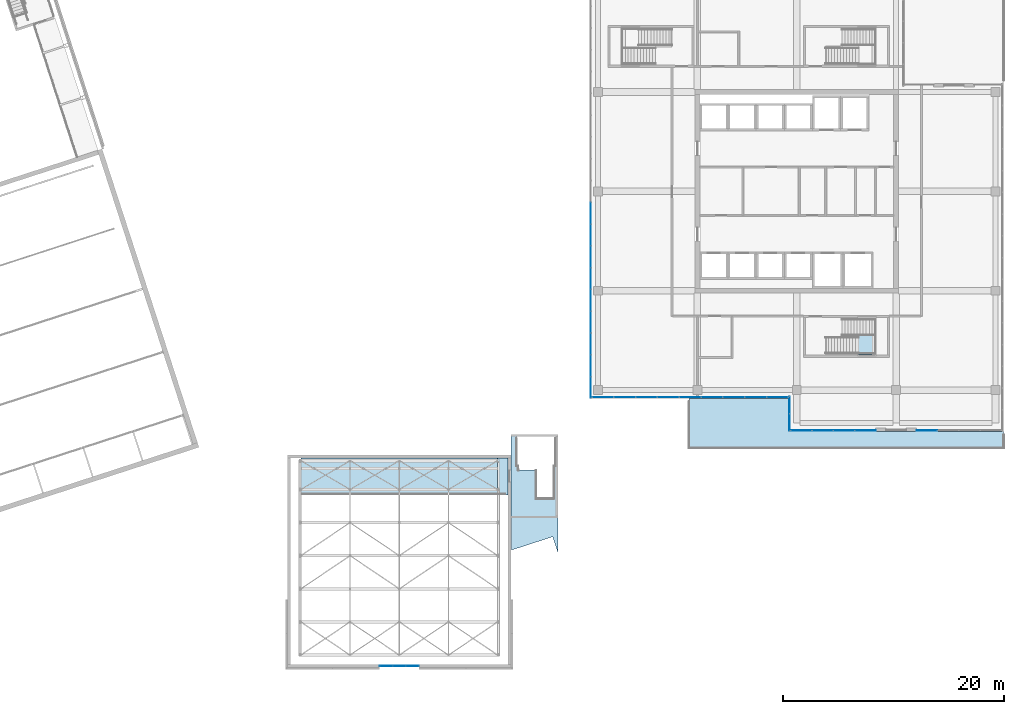
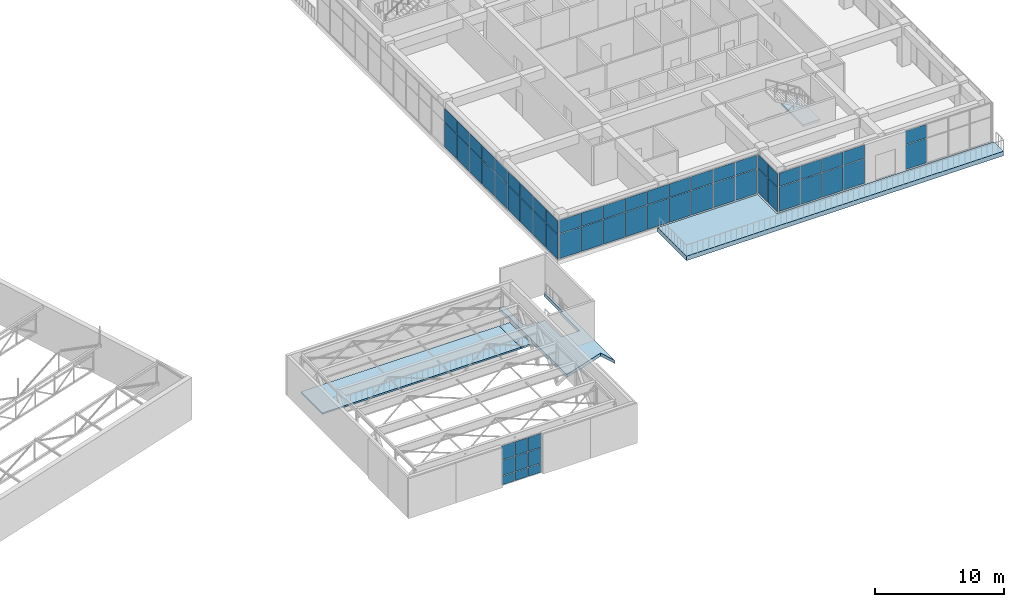
# One storey, part 63 of 81: 59 plates, 5 slabs, 7 elements without a shape of their own.
"""IFC4 building model written with IfcOpenShell, lengths in metres."""

from ifc_helpers import new_model, si_unit, direction, frame, origin, origin_2d, place, context, subcontext, project, spatial, polyline, rectangle, outline, extrude, material, layer, layer_set, type_object, element, aggregate, save


model = new_model("IFC4")

# Units and contexts
model_context = context("Model", 3, precision=1e-05, world=origin(), true_north=direction((0.0, 1.0)))
body_context = subcontext(model_context, "Body", "Model", "MODEL_VIEW")
ifc_project = project(units=[si_unit("LENGTHUNIT", "METRE"), si_unit("AREAUNIT", "SQUARE_METRE"), si_unit("VOLUMEUNIT", "CUBIC_METRE"), si_unit("PLANEANGLEUNIT", "RADIAN"), si_unit("MASSUNIT", "GRAM", prefix="KILO")], contexts=[model_context])

# Site, building, storey
site_placement = place(None, origin())
site = spatial("IfcSite", under=ifc_project, at=site_placement, CompositionType="ELEMENT")
building_placement = place(site_placement, origin())
building = spatial("IfcBuilding", under=site, at=building_placement, Name="Tuart Plaza Theatre", CompositionType="ELEMENT")
storey_placement = place(building_placement, frame((0.0, 0.0, 17.5)))
storey = spatial("IfcBuildingStorey", under=building, at=storey_placement, Name="L04", CompositionType="ELEMENT", Elevation=17.5)

# Curtain wall, plates
ifc_material_1 = material(Name="Aluminium and glass", Category="aluminium")
ifc_layer_1 = layer(ifc_material_1, 0.10009765625)
ifc_layer_set_1 = layer_set([ifc_layer_1], Name="CURTAIN WALL 1200 module")
curtain_wall_type_1 = type_object("IfcCurtainWallType", Name="CURTAIN WALL 1200 module", PredefinedType="NOTDEFINED", material=ifc_layer_set_1)
curtain_wall_1_placement = place(storey_placement, origin())
curtain_wall_1 = element("IfcCurtainWall", 1, at=curtain_wall_1_placement, inside=storey, type_object=curtain_wall_type_1, Name="CW47", PredefinedType="NOTDEFINED")
ifc_material_2 = material(Name="Glass", Category="glass")
ifc_layer_2 = layer(ifc_material_2, 0.028076171875)
ifc_layer_set_2 = layer_set([ifc_layer_2], Name="CURTAIN PANEL double glazed 28")
plate_type_1 = type_object("IfcPlateType", Name="CURTAIN PANEL double glazed 28", PredefinedType="CURTAIN_PANEL", material=ifc_layer_set_2)
plate_1_placement = place(storey_placement, frame((94.8125, 31.0, 0.0498046875), z_axis=(0.0, 0.0, 1.0), x_axis=(1.0, 0.0, 0.0)))
plate_1 = element("IfcPlate", 2, at=plate_1_placement, type_object=plate_type_1, Name="CW47 panel 1.1", PredefinedType="CURTAIN_PANEL", context=body_context, shape_type="SweptSolid", body=[
    extrude(rectangle(XDim=1.125, YDim=0.028076171875, at=origin_2d()), origin(), (0.0, 0.0, 1.0), 0.824951171875),
])
plate_2_placement = place(storey_placement, frame((94.8125, 31.0, 0.9248046875), z_axis=(0.0, 0.0, 1.0), x_axis=(1.0, 0.0, 0.0)))
plate_2 = element("IfcPlate", 3, at=plate_2_placement, type_object=plate_type_1, Name="CW47 panel 1.2", PredefinedType="CURTAIN_PANEL", context=body_context, shape_type="SweptSolid", body=[
    extrude(rectangle(XDim=1.125, YDim=0.028076171875, at=origin_2d()), origin(), (0.0, 0.0, 1.0), 1.449951171875),
])
plate_3_placement = place(storey_placement, frame((94.8125, 31.0, 2.4248046875), z_axis=(0.0, 0.0, 1.0), x_axis=(1.0, 0.0, 0.0)))
plate_3 = element("IfcPlate", 4, at=plate_3_placement, type_object=plate_type_1, Name="CW47 panel 1.3", PredefinedType="CURTAIN_PANEL", context=body_context, shape_type="SweptSolid", body=[
    extrude(rectangle(XDim=1.125, YDim=0.028076171875, at=origin_2d()), origin(), (0.0, 0.0, 1.0), 1.324951171875),
])
plate_4_placement = place(storey_placement, frame((96.0, 31.0, 0.0498046875), z_axis=(0.0, 0.0, 1.0), x_axis=(1.0, 0.0, 0.0)))
plate_4 = element("IfcPlate", 5, at=plate_4_placement, type_object=plate_type_1, Name="CW47 panel 2.1", PredefinedType="CURTAIN_PANEL", context=body_context, shape_type="SweptSolid", body=[
    extrude(rectangle(XDim=1.14990234375, YDim=0.028076171875, at=origin_2d()), origin(), (0.0, 0.0, 1.0), 0.824951171875),
])
plate_5_placement = place(storey_placement, frame((96.0, 31.0, 0.9248046875), z_axis=(0.0, 0.0, 1.0), x_axis=(1.0, 0.0, 0.0)))
plate_5 = element("IfcPlate", 6, at=plate_5_placement, type_object=plate_type_1, Name="CW47 panel 2.2", PredefinedType="CURTAIN_PANEL", context=body_context, shape_type="SweptSolid", body=[
    extrude(rectangle(XDim=1.14990234375, YDim=0.028076171875, at=origin_2d()), origin(), (0.0, 0.0, 1.0), 1.449951171875),
])
plate_6_placement = place(storey_placement, frame((96.0, 31.0, 2.4248046875), z_axis=(0.0, 0.0, 1.0), x_axis=(1.0, 0.0, 0.0)))
plate_6 = element("IfcPlate", 7, at=plate_6_placement, type_object=plate_type_1, Name="CW47 panel 2.3", PredefinedType="CURTAIN_PANEL", context=body_context, shape_type="SweptSolid", body=[
    extrude(rectangle(XDim=1.14990234375, YDim=0.028076171875, at=origin_2d()), origin(), (0.0, 0.0, 1.0), 1.324951171875),
])
plate_7_placement = place(storey_placement, frame((97.1875, 31.0, 0.0498046875), z_axis=(0.0, 0.0, 1.0), x_axis=(1.0, 0.0, 0.0)))
plate_7 = element("IfcPlate", 8, at=plate_7_placement, type_object=plate_type_1, Name="CW47 panel 3.1", PredefinedType="CURTAIN_PANEL", context=body_context, shape_type="SweptSolid", body=[
    extrude(rectangle(XDim=1.125, YDim=0.028076171875, at=origin_2d()), origin(), (0.0, 0.0, 1.0), 0.824951171875),
])
plate_8_placement = place(storey_placement, frame((97.1875, 31.0, 0.9248046875), z_axis=(0.0, 0.0, 1.0), x_axis=(1.0, 0.0, 0.0)))
plate_8 = element("IfcPlate", 9, at=plate_8_placement, type_object=plate_type_1, Name="CW47 panel 3.2", PredefinedType="CURTAIN_PANEL", context=body_context, shape_type="SweptSolid", body=[
    extrude(rectangle(XDim=1.125, YDim=0.028076171875, at=origin_2d()), origin(), (0.0, 0.0, 1.0), 1.449951171875),
])
plate_9_placement = place(storey_placement, frame((97.1875, 31.0, 2.4248046875), z_axis=(0.0, 0.0, 1.0), x_axis=(1.0, 0.0, 0.0)))
plate_9 = element("IfcPlate", 10, at=plate_9_placement, type_object=plate_type_1, Name="CW47 panel 3.3", PredefinedType="CURTAIN_PANEL", context=body_context, shape_type="SweptSolid", body=[
    extrude(rectangle(XDim=1.125, YDim=0.028076171875, at=origin_2d()), origin(), (0.0, 0.0, 1.0), 1.324951171875),
])
aggregate(curtain_wall_1, [plate_1, plate_2, plate_3, plate_4, plate_5, plate_6, plate_7, plate_8, plate_9])

ifc_material_3 = material(Name="Aluminium and glass", Category="aluminium")
ifc_layer_3 = layer(ifc_material_3, 0.10009765625)
ifc_layer_set_3 = layer_set([ifc_layer_3], Name="CURTAIN WALL 2000 module")
curtain_wall_type_2 = type_object("IfcCurtainWallType", Name="CURTAIN WALL 2000 module", PredefinedType="NOTDEFINED", material=ifc_layer_set_3)
curtain_wall_2_placement = place(storey_placement, origin())
curtain_wall_2 = element("IfcCurtainWall", 11, at=curtain_wall_2_placement, inside=storey, type_object=curtain_wall_type_2, Name="CW75", PredefinedType="NOTDEFINED")
plate_10_placement = place(storey_placement, frame((131.35009765625, 54.637451171875, 0.0498046875), z_axis=(0.0, 0.0, 1.0), x_axis=(0.0, -1.0, 0.0)))
plate_10 = element("IfcPlate", 12, at=plate_10_placement, type_object=plate_type_1, Name="CW75 panel 1.1", PredefinedType="CURTAIN_PANEL", context=body_context, shape_type="SweptSolid", body=[
    extrude(rectangle(XDim=1.52490234375, YDim=0.028076171875, at=origin_2d()), origin(), (0.0, 0.0, 1.0), 2.324951171875),
])
plate_11_placement = place(storey_placement, frame((131.35009765625, 54.637451171875, 2.425048828125), z_axis=(0.0, 0.0, 1.0), x_axis=(0.0, -1.0, 0.0)))
plate_11 = element("IfcPlate", 13, at=plate_11_placement, type_object=plate_type_1, Name="CW75 panel 1.2", PredefinedType="CURTAIN_PANEL", context=body_context, shape_type="SweptSolid", body=[
    extrude(rectangle(XDim=1.52490234375, YDim=0.028076171875, at=origin_2d()), origin(), (0.0, 0.0, 1.0), 1.27490234375),
])
plate_12_placement = place(storey_placement, frame((131.35009765625, 53.0625, 0.0498046875), z_axis=(0.0, 0.0, 1.0), x_axis=(0.0, -1.0, 0.0)))
plate_12 = element("IfcPlate", 14, at=plate_12_placement, type_object=plate_type_1, Name="CW75 panel 2.1", PredefinedType="CURTAIN_PANEL", context=body_context, shape_type="SweptSolid", body=[
    extrude(rectangle(XDim=1.52490234375, YDim=0.028076171875, at=origin_2d()), origin(), (0.0, 0.0, 1.0), 2.324951171875),
])
plate_13_placement = place(storey_placement, frame((131.35009765625, 53.0625, 2.425048828125), z_axis=(0.0, 0.0, 1.0), x_axis=(0.0, -1.0, 0.0)))
plate_13 = element("IfcPlate", 15, at=plate_13_placement, type_object=plate_type_1, Name="CW75 panel 2.2", PredefinedType="CURTAIN_PANEL", context=body_context, shape_type="SweptSolid", body=[
    extrude(rectangle(XDim=1.52490234375, YDim=0.028076171875, at=origin_2d()), origin(), (0.0, 0.0, 1.0), 1.27490234375),
])
aggregate(curtain_wall_2, [plate_10, plate_11, plate_12, plate_13])

curtain_wall_3_placement = place(storey_placement, origin())
curtain_wall_3 = element("IfcCurtainWall", 16, at=curtain_wall_3_placement, inside=storey, type_object=curtain_wall_type_2, Name="CW76", PredefinedType="NOTDEFINED")
plate_14_placement = place(storey_placement, frame((134.356201171875, 52.35009765625, 0.0498046875), z_axis=(0.0, 0.0, 1.0), x_axis=(1.0, 0.0, 0.0)))
plate_14 = element("IfcPlate", 17, at=plate_14_placement, type_object=plate_type_1, Name="CW76 panel 2.1", PredefinedType="CURTAIN_PANEL", context=body_context, shape_type="SweptSolid", body=[
    extrude(rectangle(XDim=1.887451171875, YDim=0.028076171875, at=origin_2d()), origin(), (0.0, 0.0, 1.0), 2.324951171875),
])
plate_15_placement = place(storey_placement, frame((134.356201171875, 52.35009765625, 2.425048828125), z_axis=(0.0, 0.0, 1.0), x_axis=(1.0, 0.0, 0.0)))
plate_15 = element("IfcPlate", 18, at=plate_15_placement, type_object=plate_type_1, Name="CW76 panel 2.2", PredefinedType="CURTAIN_PANEL", context=body_context, shape_type="SweptSolid", body=[
    extrude(rectangle(XDim=1.887451171875, YDim=0.028076171875, at=origin_2d()), origin(), (0.0, 0.0, 1.0), 1.27490234375),
])
plate_16_placement = place(storey_placement, frame((136.293701171875, 52.35009765625, 0.0498046875), z_axis=(0.0, 0.0, 1.0), x_axis=(1.0, 0.0, 0.0)))
plate_16 = element("IfcPlate", 19, at=plate_16_placement, type_object=plate_type_1, Name="CW76 panel 3.1", PredefinedType="CURTAIN_PANEL", context=body_context, shape_type="SweptSolid", body=[
    extrude(rectangle(XDim=1.887451171875, YDim=0.028076171875, at=origin_2d()), origin(), (0.0, 0.0, 1.0), 2.324951171875),
])
plate_17_placement = place(storey_placement, frame((136.293701171875, 52.35009765625, 2.425048828125), z_axis=(0.0, 0.0, 1.0), x_axis=(1.0, 0.0, 0.0)))
plate_17 = element("IfcPlate", 20, at=plate_17_placement, type_object=plate_type_1, Name="CW76 panel 3.2", PredefinedType="CURTAIN_PANEL", context=body_context, shape_type="SweptSolid", body=[
    extrude(rectangle(XDim=1.887451171875, YDim=0.028076171875, at=origin_2d()), origin(), (0.0, 0.0, 1.0), 1.27490234375),
])
plate_18_placement = place(storey_placement, frame((138.21875, 52.35009765625, 0.0498046875), z_axis=(0.0, 0.0, 1.0), x_axis=(1.0, 0.0, 0.0)))
plate_18 = element("IfcPlate", 21, at=plate_18_placement, type_object=plate_type_1, Name="CW76 panel 4.1", PredefinedType="CURTAIN_PANEL", context=body_context, shape_type="SweptSolid", body=[
    extrude(rectangle(XDim=1.862548828125, YDim=0.028076171875, at=origin_2d()), origin(), (0.0, 0.0, 1.0), 2.324951171875),
])
plate_19_placement = place(storey_placement, frame((138.21875, 52.35009765625, 2.425048828125), z_axis=(0.0, 0.0, 1.0), x_axis=(1.0, 0.0, 0.0)))
plate_19 = element("IfcPlate", 22, at=plate_19_placement, type_object=plate_type_1, Name="CW76 panel 4.2", PredefinedType="CURTAIN_PANEL", context=body_context, shape_type="SweptSolid", body=[
    extrude(rectangle(XDim=1.862548828125, YDim=0.028076171875, at=origin_2d()), origin(), (0.0, 0.0, 1.0), 1.27490234375),
])

curtain_wall_4_placement = place(storey_placement, origin())
curtain_wall_4 = element("IfcCurtainWall", 23, at=curtain_wall_4_placement, inside=storey, type_object=curtain_wall_type_2, Name="CW77", PredefinedType="NOTDEFINED")
plate_20_placement = place(storey_placement, frame((143.78125, 52.35009765625, 0.0498046875), z_axis=(0.0, 0.0, 1.0), x_axis=(1.0, 0.0, 0.0)))
plate_20 = element("IfcPlate", 24, at=plate_20_placement, type_object=plate_type_1, Name="CW77 panel 1.1", PredefinedType="CURTAIN_PANEL", context=body_context, shape_type="SweptSolid", body=[
    extrude(rectangle(XDim=1.862548828125, YDim=0.028076171875, at=origin_2d()), origin(), (0.0, 0.0, 1.0), 2.324951171875),
])
plate_21_placement = place(storey_placement, frame((143.78125, 52.35009765625, 2.425048828125), z_axis=(0.0, 0.0, 1.0), x_axis=(1.0, 0.0, 0.0)))
plate_21 = element("IfcPlate", 25, at=plate_21_placement, type_object=plate_type_1, Name="CW77 panel 1.2", PredefinedType="CURTAIN_PANEL", context=body_context, shape_type="SweptSolid", body=[
    extrude(rectangle(XDim=1.862548828125, YDim=0.028076171875, at=origin_2d()), origin(), (0.0, 0.0, 1.0), 1.27490234375),
])
aggregate(curtain_wall_4, [plate_20, plate_21])

curtain_wall_5_placement = place(storey_placement, origin())
curtain_wall_5 = element("IfcCurtainWall", 26, at=curtain_wall_5_placement, inside=storey, type_object=curtain_wall_type_2, Name="CW86", PredefinedType="NOTDEFINED")
plate_22_placement = place(storey_placement, frame((113.35009765625, 72.0263671875, 0.0498046875), z_axis=(0.0, 0.0, 1.0), x_axis=(0.0, -1.0, 0.0)))
plate_22 = element("IfcPlate", 27, at=plate_22_placement, type_object=plate_type_1, Name="CW86 panel 11.1", PredefinedType="CURTAIN_PANEL", context=body_context, shape_type="SweptSolid", body=[
    extrude(rectangle(XDim=1.923583984375, YDim=0.028076171875, at=origin_2d()), origin(), (0.0, 0.0, 1.0), 2.324951171875),
])
plate_23_placement = place(storey_placement, frame((113.35009765625, 72.0263671875, 2.425048828125), z_axis=(0.0, 0.0, 1.0), x_axis=(0.0, -1.0, 0.0)))
plate_23 = element("IfcPlate", 28, at=plate_23_placement, type_object=plate_type_1, Name="CW86 panel 11.2", PredefinedType="CURTAIN_PANEL", context=body_context, shape_type="SweptSolid", body=[
    extrude(rectangle(XDim=1.923583984375, YDim=0.028076171875, at=origin_2d()), origin(), (0.0, 0.0, 1.0), 1.27490234375),
])
plate_24_placement = place(storey_placement, frame((113.35009765625, 70.052734375, 0.0498046875), z_axis=(0.0, 0.0, 1.0), x_axis=(0.0, -1.0, 0.0)))
plate_24 = element("IfcPlate", 29, at=plate_24_placement, type_object=plate_type_1, Name="CW86 panel 12.1", PredefinedType="CURTAIN_PANEL", context=body_context, shape_type="SweptSolid", body=[
    extrude(rectangle(XDim=1.923583984375, YDim=0.028076171875, at=origin_2d()), origin(), (0.0, 0.0, 1.0), 2.324951171875),
])
plate_25_placement = place(storey_placement, frame((113.35009765625, 70.052734375, 2.425048828125), z_axis=(0.0, 0.0, 1.0), x_axis=(0.0, -1.0, 0.0)))
plate_25 = element("IfcPlate", 30, at=plate_25_placement, type_object=plate_type_1, Name="CW86 panel 12.2", PredefinedType="CURTAIN_PANEL", context=body_context, shape_type="SweptSolid", body=[
    extrude(rectangle(XDim=1.923583984375, YDim=0.028076171875, at=origin_2d()), origin(), (0.0, 0.0, 1.0), 1.27490234375),
])
plate_26_placement = place(storey_placement, frame((113.35009765625, 68.078857421875, 0.0498046875), z_axis=(0.0, 0.0, 1.0), x_axis=(0.0, -1.0, 0.0)))
plate_26 = element("IfcPlate", 31, at=plate_26_placement, type_object=plate_type_1, Name="CW86 panel 13.1", PredefinedType="CURTAIN_PANEL", context=body_context, shape_type="SweptSolid", body=[
    extrude(rectangle(XDim=1.923583984375, YDim=0.028076171875, at=origin_2d()), origin(), (0.0, 0.0, 1.0), 2.324951171875),
])
plate_27_placement = place(storey_placement, frame((113.35009765625, 68.078857421875, 2.425048828125), z_axis=(0.0, 0.0, 1.0), x_axis=(0.0, -1.0, 0.0)))
plate_27 = element("IfcPlate", 32, at=plate_27_placement, type_object=plate_type_1, Name="CW86 panel 13.2", PredefinedType="CURTAIN_PANEL", context=body_context, shape_type="SweptSolid", body=[
    extrude(rectangle(XDim=1.923583984375, YDim=0.028076171875, at=origin_2d()), origin(), (0.0, 0.0, 1.0), 1.27490234375),
])
plate_28_placement = place(storey_placement, frame((113.35009765625, 66.105224609375, 0.0498046875), z_axis=(0.0, 0.0, 1.0), x_axis=(0.0, -1.0, 0.0)))
plate_28 = element("IfcPlate", 33, at=plate_28_placement, type_object=plate_type_1, Name="CW86 panel 14.1", PredefinedType="CURTAIN_PANEL", context=body_context, shape_type="SweptSolid", body=[
    extrude(rectangle(XDim=1.923583984375, YDim=0.028076171875, at=origin_2d()), origin(), (0.0, 0.0, 1.0), 2.324951171875),
])
plate_29_placement = place(storey_placement, frame((113.35009765625, 66.105224609375, 2.425048828125), z_axis=(0.0, 0.0, 1.0), x_axis=(0.0, -1.0, 0.0)))
plate_29 = element("IfcPlate", 34, at=plate_29_placement, type_object=plate_type_1, Name="CW86 panel 14.2", PredefinedType="CURTAIN_PANEL", context=body_context, shape_type="SweptSolid", body=[
    extrude(rectangle(XDim=1.923583984375, YDim=0.028076171875, at=origin_2d()), origin(), (0.0, 0.0, 1.0), 1.27490234375),
])
plate_30_placement = place(storey_placement, frame((113.35009765625, 64.131591796875, 0.0498046875), z_axis=(0.0, 0.0, 1.0), x_axis=(0.0, -1.0, 0.0)))
plate_30 = element("IfcPlate", 35, at=plate_30_placement, type_object=plate_type_1, Name="CW86 panel 15.1", PredefinedType="CURTAIN_PANEL", context=body_context, shape_type="SweptSolid", body=[
    extrude(rectangle(XDim=1.923583984375, YDim=0.028076171875, at=origin_2d()), origin(), (0.0, 0.0, 1.0), 2.324951171875),
])
plate_31_placement = place(storey_placement, frame((113.35009765625, 64.131591796875, 2.425048828125), z_axis=(0.0, 0.0, 1.0), x_axis=(0.0, -1.0, 0.0)))
plate_31 = element("IfcPlate", 36, at=plate_31_placement, type_object=plate_type_1, Name="CW86 panel 15.2", PredefinedType="CURTAIN_PANEL", context=body_context, shape_type="SweptSolid", body=[
    extrude(rectangle(XDim=1.923583984375, YDim=0.028076171875, at=origin_2d()), origin(), (0.0, 0.0, 1.0), 1.27490234375),
])
plate_32_placement = place(storey_placement, frame((113.35009765625, 62.157958984375, 0.0498046875), z_axis=(0.0, 0.0, 1.0), x_axis=(0.0, -1.0, 0.0)))
plate_32 = element("IfcPlate", 37, at=plate_32_placement, type_object=plate_type_1, Name="CW86 panel 16.1", PredefinedType="CURTAIN_PANEL", context=body_context, shape_type="SweptSolid", body=[
    extrude(rectangle(XDim=1.923583984375, YDim=0.028076171875, at=origin_2d()), origin(), (0.0, 0.0, 1.0), 2.324951171875),
])
plate_33_placement = place(storey_placement, frame((113.35009765625, 62.157958984375, 2.425048828125), z_axis=(0.0, 0.0, 1.0), x_axis=(0.0, -1.0, 0.0)))
plate_33 = element("IfcPlate", 38, at=plate_33_placement, type_object=plate_type_1, Name="CW86 panel 16.2", PredefinedType="CURTAIN_PANEL", context=body_context, shape_type="SweptSolid", body=[
    extrude(rectangle(XDim=1.923583984375, YDim=0.028076171875, at=origin_2d()), origin(), (0.0, 0.0, 1.0), 1.27490234375),
])
plate_34_placement = place(storey_placement, frame((113.35009765625, 60.184326171875, 0.0498046875), z_axis=(0.0, 0.0, 1.0), x_axis=(0.0, -1.0, 0.0)))
plate_34 = element("IfcPlate", 39, at=plate_34_placement, type_object=plate_type_1, Name="CW86 panel 17.1", PredefinedType="CURTAIN_PANEL", context=body_context, shape_type="SweptSolid", body=[
    extrude(rectangle(XDim=1.923583984375, YDim=0.028076171875, at=origin_2d()), origin(), (0.0, 0.0, 1.0), 2.324951171875),
])
plate_35_placement = place(storey_placement, frame((113.35009765625, 60.184326171875, 2.425048828125), z_axis=(0.0, 0.0, 1.0), x_axis=(0.0, -1.0, 0.0)))
plate_35 = element("IfcPlate", 40, at=plate_35_placement, type_object=plate_type_1, Name="CW86 panel 17.2", PredefinedType="CURTAIN_PANEL", context=body_context, shape_type="SweptSolid", body=[
    extrude(rectangle(XDim=1.923583984375, YDim=0.028076171875, at=origin_2d()), origin(), (0.0, 0.0, 1.0), 1.27490234375),
])
plate_36_placement = place(storey_placement, frame((113.35009765625, 58.21044921875, 0.0498046875), z_axis=(0.0, 0.0, 1.0), x_axis=(0.0, -1.0, 0.0)))
plate_36 = element("IfcPlate", 41, at=plate_36_placement, type_object=plate_type_1, Name="CW86 panel 18.1", PredefinedType="CURTAIN_PANEL", context=body_context, shape_type="SweptSolid", body=[
    extrude(rectangle(XDim=1.923583984375, YDim=0.028076171875, at=origin_2d()), origin(), (0.0, 0.0, 1.0), 2.324951171875),
])
plate_37_placement = place(storey_placement, frame((113.35009765625, 58.21044921875, 2.425048828125), z_axis=(0.0, 0.0, 1.0), x_axis=(0.0, -1.0, 0.0)))
plate_37 = element("IfcPlate", 42, at=plate_37_placement, type_object=plate_type_1, Name="CW86 panel 18.2", PredefinedType="CURTAIN_PANEL", context=body_context, shape_type="SweptSolid", body=[
    extrude(rectangle(XDim=1.923583984375, YDim=0.028076171875, at=origin_2d()), origin(), (0.0, 0.0, 1.0), 1.27490234375),
])
plate_38_placement = place(storey_placement, frame((113.35009765625, 56.249267578125, 0.0498046875), z_axis=(0.0, 0.0, 1.0), x_axis=(0.0, -1.0, 0.0)))
plate_38 = element("IfcPlate", 43, at=plate_38_placement, type_object=plate_type_1, Name="CW86 panel 19.1", PredefinedType="CURTAIN_PANEL", context=body_context, shape_type="SweptSolid", body=[
    extrude(rectangle(XDim=1.898681640625, YDim=0.028076171875, at=origin_2d()), origin(), (0.0, 0.0, 1.0), 2.324951171875),
])
plate_39_placement = place(storey_placement, frame((113.35009765625, 56.249267578125, 2.425048828125), z_axis=(0.0, 0.0, 1.0), x_axis=(0.0, -1.0, 0.0)))
plate_39 = element("IfcPlate", 44, at=plate_39_placement, type_object=plate_type_1, Name="CW86 panel 19.2", PredefinedType="CURTAIN_PANEL", context=body_context, shape_type="SweptSolid", body=[
    extrude(rectangle(XDim=1.898681640625, YDim=0.028076171875, at=origin_2d()), origin(), (0.0, 0.0, 1.0), 1.27490234375),
])
aggregate(curtain_wall_5, [plate_22, plate_23, plate_24, plate_25, plate_26, plate_27, plate_28, plate_29, plate_30, plate_31, plate_32, plate_33, plate_34, plate_35, plate_36, plate_37, plate_38, plate_39])

curtain_wall_6_placement = place(storey_placement, origin())
curtain_wall_6 = element("IfcCurtainWall", 45, at=curtain_wall_6_placement, inside=storey, type_object=curtain_wall_type_2, Name="CW87", PredefinedType="NOTDEFINED")
plate_40_placement = place(storey_placement, frame((114.451416015625, 55.35009765625, 0.0498046875), z_axis=(0.0, 0.0, 1.0), x_axis=(1.0, 0.0, 0.0)))
plate_40 = element("IfcPlate", 46, at=plate_40_placement, type_object=plate_type_1, Name="CW87 panel 1.1", PredefinedType="CURTAIN_PANEL", context=body_context, shape_type="SweptSolid", body=[
    extrude(rectangle(XDim=1.90283203125, YDim=0.028076171875, at=origin_2d()), origin(), (0.0, 0.0, 1.0), 2.324951171875),
])
plate_41_placement = place(storey_placement, frame((114.451416015625, 55.35009765625, 2.425048828125), z_axis=(0.0, 0.0, 1.0), x_axis=(1.0, 0.0, 0.0)))
plate_41 = element("IfcPlate", 47, at=plate_41_placement, type_object=plate_type_1, Name="CW87 panel 1.2", PredefinedType="CURTAIN_PANEL", context=body_context, shape_type="SweptSolid", body=[
    extrude(rectangle(XDim=1.90283203125, YDim=0.028076171875, at=origin_2d()), origin(), (0.0, 0.0, 1.0), 1.27490234375),
])
plate_42_placement = place(storey_placement, frame((116.416748046875, 55.35009765625, 0.0498046875), z_axis=(0.0, 0.0, 1.0), x_axis=(1.0, 0.0, 0.0)))
plate_42 = element("IfcPlate", 48, at=plate_42_placement, type_object=plate_type_1, Name="CW87 panel 2.1", PredefinedType="CURTAIN_PANEL", context=body_context, shape_type="SweptSolid", body=[
    extrude(rectangle(XDim=1.927734375, YDim=0.028076171875, at=origin_2d()), origin(), (0.0, 0.0, 1.0), 2.324951171875),
])
plate_43_placement = place(storey_placement, frame((116.416748046875, 55.35009765625, 2.425048828125), z_axis=(0.0, 0.0, 1.0), x_axis=(1.0, 0.0, 0.0)))
plate_43 = element("IfcPlate", 49, at=plate_43_placement, type_object=plate_type_1, Name="CW87 panel 2.2", PredefinedType="CURTAIN_PANEL", context=body_context, shape_type="SweptSolid", body=[
    extrude(rectangle(XDim=1.927734375, YDim=0.028076171875, at=origin_2d()), origin(), (0.0, 0.0, 1.0), 1.27490234375),
])
plate_44_placement = place(storey_placement, frame((118.39453125, 55.35009765625, 0.0498046875), z_axis=(0.0, 0.0, 1.0), x_axis=(1.0, 0.0, 0.0)))
plate_44 = element("IfcPlate", 50, at=plate_44_placement, type_object=plate_type_1, Name="CW87 panel 3.1", PredefinedType="CURTAIN_PANEL", context=body_context, shape_type="SweptSolid", body=[
    extrude(rectangle(XDim=1.927734375, YDim=0.028076171875, at=origin_2d()), origin(), (0.0, 0.0, 1.0), 2.324951171875),
])
plate_45_placement = place(storey_placement, frame((118.39453125, 55.35009765625, 2.425048828125), z_axis=(0.0, 0.0, 1.0), x_axis=(1.0, 0.0, 0.0)))
plate_45 = element("IfcPlate", 51, at=plate_45_placement, type_object=plate_type_1, Name="CW87 panel 3.2", PredefinedType="CURTAIN_PANEL", context=body_context, shape_type="SweptSolid", body=[
    extrude(rectangle(XDim=1.927734375, YDim=0.028076171875, at=origin_2d()), origin(), (0.0, 0.0, 1.0), 1.27490234375),
])
plate_46_placement = place(storey_placement, frame((120.372314453125, 55.35009765625, 0.0498046875), z_axis=(0.0, 0.0, 1.0), x_axis=(1.0, 0.0, 0.0)))
plate_46 = element("IfcPlate", 52, at=plate_46_placement, type_object=plate_type_1, Name="CW87 panel 4.1", PredefinedType="CURTAIN_PANEL", context=body_context, shape_type="SweptSolid", body=[
    extrude(rectangle(XDim=1.927734375, YDim=0.028076171875, at=origin_2d()), origin(), (0.0, 0.0, 1.0), 2.324951171875),
])
plate_47_placement = place(storey_placement, frame((120.372314453125, 55.35009765625, 2.425048828125), z_axis=(0.0, 0.0, 1.0), x_axis=(1.0, 0.0, 0.0)))
plate_47 = element("IfcPlate", 53, at=plate_47_placement, type_object=plate_type_1, Name="CW87 panel 4.2", PredefinedType="CURTAIN_PANEL", context=body_context, shape_type="SweptSolid", body=[
    extrude(rectangle(XDim=1.927734375, YDim=0.028076171875, at=origin_2d()), origin(), (0.0, 0.0, 1.0), 1.27490234375),
])
plate_48_placement = place(storey_placement, frame((122.35009765625, 55.35009765625, 0.0498046875), z_axis=(0.0, 0.0, 1.0), x_axis=(1.0, 0.0, 0.0)))
plate_48 = element("IfcPlate", 54, at=plate_48_placement, type_object=plate_type_1, Name="CW87 panel 5.1", PredefinedType="CURTAIN_PANEL", context=body_context, shape_type="SweptSolid", body=[
    extrude(rectangle(XDim=1.927734375, YDim=0.028076171875, at=origin_2d()), origin(), (0.0, 0.0, 1.0), 2.324951171875),
])
plate_49_placement = place(storey_placement, frame((122.35009765625, 55.35009765625, 2.425048828125), z_axis=(0.0, 0.0, 1.0), x_axis=(1.0, 0.0, 0.0)))
plate_49 = element("IfcPlate", 55, at=plate_49_placement, type_object=plate_type_1, Name="CW87 panel 5.2", PredefinedType="CURTAIN_PANEL", context=body_context, shape_type="SweptSolid", body=[
    extrude(rectangle(XDim=1.927734375, YDim=0.028076171875, at=origin_2d()), origin(), (0.0, 0.0, 1.0), 1.27490234375),
])
plate_50_placement = place(storey_placement, frame((124.327880859375, 55.35009765625, 0.0498046875), z_axis=(0.0, 0.0, 1.0), x_axis=(1.0, 0.0, 0.0)))
plate_50 = element("IfcPlate", 56, at=plate_50_placement, type_object=plate_type_1, Name="CW87 panel 6.1", PredefinedType="CURTAIN_PANEL", context=body_context, shape_type="SweptSolid", body=[
    extrude(rectangle(XDim=1.927734375, YDim=0.028076171875, at=origin_2d()), origin(), (0.0, 0.0, 1.0), 2.324951171875),
])
plate_51_placement = place(storey_placement, frame((124.327880859375, 55.35009765625, 2.425048828125), z_axis=(0.0, 0.0, 1.0), x_axis=(1.0, 0.0, 0.0)))
plate_51 = element("IfcPlate", 57, at=plate_51_placement, type_object=plate_type_1, Name="CW87 panel 6.2", PredefinedType="CURTAIN_PANEL", context=body_context, shape_type="SweptSolid", body=[
    extrude(rectangle(XDim=1.927734375, YDim=0.028076171875, at=origin_2d()), origin(), (0.0, 0.0, 1.0), 1.27490234375),
])
plate_52_placement = place(storey_placement, frame((126.3056640625, 55.35009765625, 0.0498046875), z_axis=(0.0, 0.0, 1.0), x_axis=(1.0, 0.0, 0.0)))
plate_52 = element("IfcPlate", 58, at=plate_52_placement, type_object=plate_type_1, Name="CW87 panel 7.1", PredefinedType="CURTAIN_PANEL", context=body_context, shape_type="SweptSolid", body=[
    extrude(rectangle(XDim=1.927734375, YDim=0.028076171875, at=origin_2d()), origin(), (0.0, 0.0, 1.0), 2.324951171875),
])
plate_53_placement = place(storey_placement, frame((126.3056640625, 55.35009765625, 2.425048828125), z_axis=(0.0, 0.0, 1.0), x_axis=(1.0, 0.0, 0.0)))
plate_53 = element("IfcPlate", 59, at=plate_53_placement, type_object=plate_type_1, Name="CW87 panel 7.2", PredefinedType="CURTAIN_PANEL", context=body_context, shape_type="SweptSolid", body=[
    extrude(rectangle(XDim=1.927734375, YDim=0.028076171875, at=origin_2d()), origin(), (0.0, 0.0, 1.0), 1.27490234375),
])
plate_54_placement = place(storey_placement, frame((128.283447265625, 55.35009765625, 0.0498046875), z_axis=(0.0, 0.0, 1.0), x_axis=(1.0, 0.0, 0.0)))
plate_54 = element("IfcPlate", 60, at=plate_54_placement, type_object=plate_type_1, Name="CW87 panel 8.1", PredefinedType="CURTAIN_PANEL", context=body_context, shape_type="SweptSolid", body=[
    extrude(rectangle(XDim=1.927734375, YDim=0.028076171875, at=origin_2d()), origin(), (0.0, 0.0, 1.0), 2.324951171875),
])
plate_55_placement = place(storey_placement, frame((128.283447265625, 55.35009765625, 2.425048828125), z_axis=(0.0, 0.0, 1.0), x_axis=(1.0, 0.0, 0.0)))
plate_55 = element("IfcPlate", 61, at=plate_55_placement, type_object=plate_type_1, Name="CW87 panel 8.2", PredefinedType="CURTAIN_PANEL", context=body_context, shape_type="SweptSolid", body=[
    extrude(rectangle(XDim=1.927734375, YDim=0.028076171875, at=origin_2d()), origin(), (0.0, 0.0, 1.0), 1.27490234375),
])
plate_56_placement = place(storey_placement, frame((130.24853515625, 55.35009765625, 0.0498046875), z_axis=(0.0, 0.0, 1.0), x_axis=(1.0, 0.0, 0.0)))
plate_56 = element("IfcPlate", 62, at=plate_56_placement, type_object=plate_type_1, Name="CW87 panel 9.1", PredefinedType="CURTAIN_PANEL", context=body_context, shape_type="SweptSolid", body=[
    extrude(rectangle(XDim=1.90283203125, YDim=0.028076171875, at=origin_2d()), origin(), (0.0, 0.0, 1.0), 2.324951171875),
])
plate_57_placement = place(storey_placement, frame((130.24853515625, 55.35009765625, 2.425048828125), z_axis=(0.0, 0.0, 1.0), x_axis=(1.0, 0.0, 0.0)))
plate_57 = element("IfcPlate", 63, at=plate_57_placement, type_object=plate_type_1, Name="CW87 panel 9.2", PredefinedType="CURTAIN_PANEL", context=body_context, shape_type="SweptSolid", body=[
    extrude(rectangle(XDim=1.90283203125, YDim=0.028076171875, at=origin_2d()), origin(), (0.0, 0.0, 1.0), 1.27490234375),
])
aggregate(curtain_wall_6, [plate_40, plate_41, plate_42, plate_43, plate_44, plate_45, plate_46, plate_47, plate_48, plate_49, plate_50, plate_51, plate_52, plate_53, plate_54, plate_55, plate_56, plate_57])

# Plate
ifc_material_4 = material(Name="Zinc")
ifc_layer_4 = layer(ifc_material_4, 0.028076171875)
ifc_layer_set_4 = layer_set([ifc_layer_4], Name="CURTAIN PANEL zinc 28")
plate_type_2 = type_object("IfcPlateType", Name="CURTAIN PANEL zinc 28", PredefinedType="CURTAIN_PANEL", material=ifc_layer_set_4)
plate_58_placement = place(storey_placement, frame((132.43115234375, 52.35009765625, 0.0498046875), z_axis=(0.0, 0.0, 1.0), x_axis=(1.0, 0.0, 0.0)))
plate_58 = element("IfcPlate", 64, at=plate_58_placement, type_object=plate_type_2, Name="CW76 zinc panel 1.1", PredefinedType="CURTAIN_PANEL", context=body_context, shape_type="SweptSolid", body=[
    extrude(rectangle(XDim=1.862548828125, YDim=0.028076171875, at=origin_2d()), origin(), (0.0, 0.0, 1.0), 2.324951171875),
])

plate_59_placement = place(storey_placement, frame((132.43115234375, 52.35009765625, 2.425048828125), z_axis=(0.0, 0.0, 1.0), x_axis=(1.0, 0.0, 0.0)))
plate_59 = element("IfcPlate", 65, at=plate_59_placement, type_object=plate_type_2, Name="CW76 zinc panel 1.2", PredefinedType="CURTAIN_PANEL", context=body_context, shape_type="SweptSolid", body=[
    extrude(rectangle(XDim=1.862548828125, YDim=0.028076171875, at=origin_2d()), origin(), (0.0, 0.0, 1.0), 1.27490234375),
])

aggregate(curtain_wall_3, [plate_58, plate_59, plate_14, plate_15, plate_16, plate_17, plate_18, plate_19])

# Slabs
ifc_material_5 = material(Name="Concrete N40 (40 MPa)", Category="concrete")
ifc_layer_5 = layer(ifc_material_5, 0.14990234375)
ifc_layer_set_5 = layer_set([ifc_layer_5], Name="SLAB Floor 150 Concrete N40 (40 MPa)")
slab_type_1 = type_object("IfcSlabType", Name="SLAB Floor 150 Concrete N40 (40 MPa)", PredefinedType="FLOOR", material=ifc_layer_set_5)
slab_1_placement = place(storey_placement, frame((0.0, 0.0, -0.14990234375)))
element("IfcSlab", 66, at=slab_1_placement, inside=storey, type_object=slab_type_1, Name="S66", PredefinedType="FLOOR", context=body_context, shape_type="SweptSolid", body=[
    extrude(outline(polyline([(104.91455078125, 46.5), (104.91455078125, 49.85009765625), (87.08544921875, 49.85009765625), (87.08544921875, 46.5), (104.91455078125, 46.5)])), origin(), (0.0, 0.0, 1.0), 0.14990234375),
])
slab_2_placement = place(storey_placement, frame((0.0, 0.0, -0.14990234375)))
element("IfcSlab", 67, at=slab_2_placement, inside=storey, type_object=slab_type_1, Name="S67", PredefinedType="FLOOR", context=body_context, shape_type="SweptSolid", body=[
    extrude(outline(polyline([(105.860107421875, 46.5), (105.860107421875, 49.85009765625), (104.91455078125, 49.85009765625), (104.91455078125, 46.5), (105.860107421875, 46.5)])), origin(), (0.0, 0.0, 1.0), 0.14990234375),
])
ifc_material_6 = material(Name="Concrete N40 (40 MPa)", Category="concrete")
ifc_layer_6 = layer(ifc_material_6, 0.300048828125)
ifc_layer_set_6 = layer_set([ifc_layer_6], Name="SLAB Floor 300 Concrete N40 (40 MPa)")
slab_type_2 = type_object("IfcSlabType", Name="SLAB Floor 300 Concrete N40 (40 MPa)", PredefinedType="FLOOR", material=ifc_layer_set_6)
slab_3_placement = place(storey_placement, frame((0.0, 0.0, -0.300048828125)))
element("IfcSlab", 68, at=slab_3_placement, inside=storey, type_object=slab_type_2, Name="S74", PredefinedType="FLOOR", context=body_context, shape_type="SweptSolid", body=[
    extrude(outline(polyline([(106.169921875, 44.39990234375), (106.169921875, 41.507568359375), (109.899658203125, 42.719482421875), (110.36328125, 41.29296875), (110.360107421875, 52.0), (110.159912109375, 52.0), (110.159912109375, 49.110107421875), (110.0048828125, 49.110107421875), (110.0048828125, 46.159912109375), (108.3798828125, 46.159912109375), (108.3798828125, 48.739990234375), (106.7548828125, 48.739990234375), (106.7548828125, 49.110107421875), (106.60009765625, 49.110107421875), (106.60009765625, 52.0), (106.139892578125, 52.0), (106.139892578125, 44.39990234375), (106.169921875, 44.39990234375)])), origin(), (0.0, 0.0, 1.0), 0.300048828125),
])
ifc_material_7 = material(Name="Concrete N40 (40 MPa)", Category="concrete")
ifc_layer_7 = layer(ifc_material_7, 0.419921875)
ifc_layer_set_7 = layer_set([ifc_layer_7], Name="SLAB Floor 420 Concrete N40 (40 MPa)")
slab_type_3 = type_object("IfcSlabType", Name="SLAB Floor 420 Concrete N40 (40 MPa)", PredefinedType="FLOOR", material=ifc_layer_set_7)
slab_4_placement = place(storey_placement, frame((0.0, 0.0, -0.419921875)))
element("IfcSlab", 69, at=slab_4_placement, inside=storey, type_object=slab_type_3, Name="S90", PredefinedType="FLOOR", context=body_context, shape_type="SweptSolid", body=[
    extrude(outline(polyline([(150.75, 52.25), (131.25, 52.25), (131.25, 55.25), (122.25, 55.25), (122.25, 50.75), (150.75, 50.75), (150.75, 52.25)])), origin(), (0.0, 0.0, 1.0), 0.419921875),
])

# Stair, slab
ifc_material_8 = material(Name="Concrete N40 (40 MPa)", Category="concrete")
stair_type = type_object("IfcStairType", Name="STAIR half turn 1500", PredefinedType="HALF_TURN_STAIR", material=ifc_material_8)
stair_placement = place(storey_placement, origin())
stair = element("IfcStair", 70, at=stair_placement, inside=storey, type_object=stair_type, Name="SC-3", PredefinedType="HALF_TURN_STAIR")
ifc_material_9 = material(Name="Concrete N40 (40 MPa)", Category="concrete")
ifc_layer_8 = layer(ifc_material_9, 0.199951171875)
ifc_layer_set_8 = layer_set([ifc_layer_8], Name="STAIR LANDING 200")
slab_type_4 = type_object("IfcSlabType", Name="STAIR LANDING 200", PredefinedType="LANDING", material=ifc_layer_set_8)
slab_5_placement = place(storey_placement, frame((0.0, 0.0, 1.800048828125)))
slab_5 = element("IfcSlab", 71, at=slab_5_placement, type_object=slab_type_4, Name="SC-3 landing 1", PredefinedType="LANDING", context=body_context, shape_type="SweptSolid", body=[
    extrude(outline(polyline([(137.60009765625, 59.177001953125), (139.1298828125, 59.177001953125), (139.1298828125, 62.572998046875), (137.60009765625, 62.572998046875), (137.60009765625, 59.177001953125)])), origin(), (0.0, 0.0, 1.0), 0.199951171875),
])
aggregate(stair, [slab_5])

save(model, "model.ifc")
